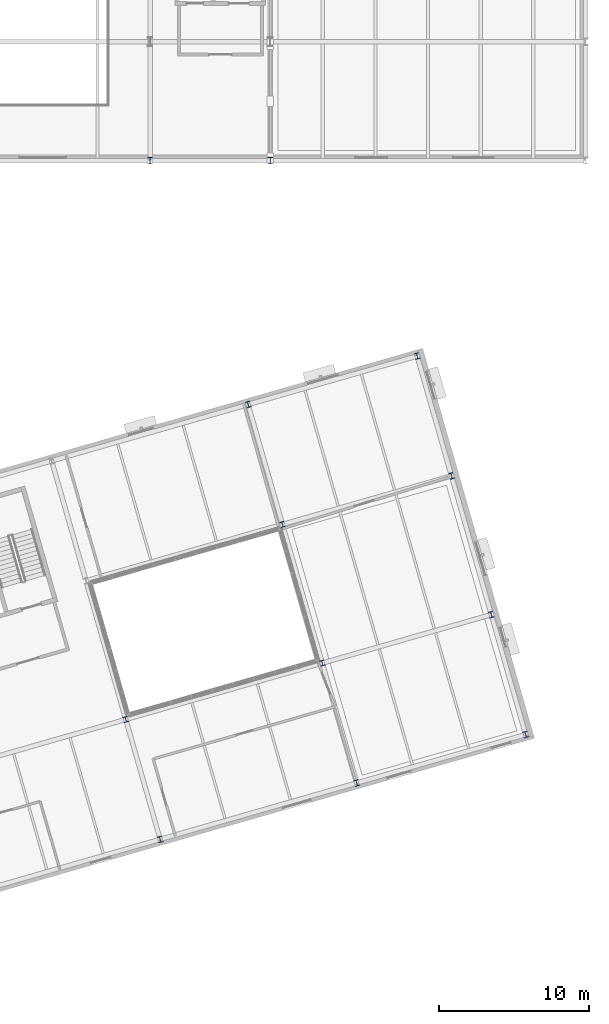
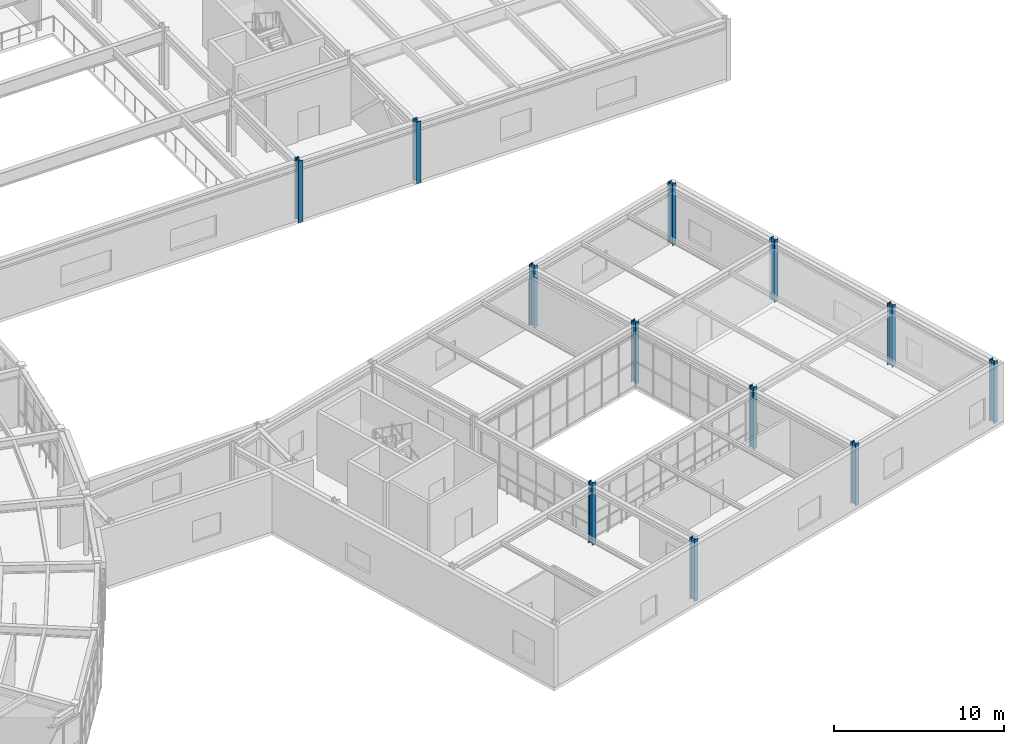
# One storey, part 15 of 103: 12 columns.
"""IFC4 building model written with IfcOpenShell, lengths in metres."""

from ifc_helpers import new_model, si_unit, direction, frame, origin, origin_2d, place, context, subcontext, project, spatial, i_section, extrude, material, material_profile, profile_set, type_object, element, save


model = new_model("IFC4")

# Units and contexts
model_context = context("Model", 3, precision=1e-05, world=origin(), true_north=direction((0.0, 1.0)))
body_context = subcontext(model_context, "Body", "Model", "MODEL_VIEW")
ifc_project = project(units=[si_unit("LENGTHUNIT", "METRE"), si_unit("AREAUNIT", "SQUARE_METRE"), si_unit("VOLUMEUNIT", "CUBIC_METRE"), si_unit("PLANEANGLEUNIT", "RADIAN"), si_unit("MASSUNIT", "GRAM", prefix="KILO")], contexts=[model_context])

# Site, building, storey
site_placement = place(None, origin())
site = spatial("IfcSite", under=ifc_project, at=site_placement, CompositionType="ELEMENT")
building_placement = place(site_placement, origin())
building = spatial("IfcBuilding", under=site, at=building_placement, Name="Varnklinge Art Gallery", CompositionType="ELEMENT")
storey_placement = place(building_placement, frame((0.0, 0.0, 5.10009765625)))
storey = spatial("IfcBuildingStorey", under=building, at=storey_placement, Name="L01", CompositionType="ELEMENT", Elevation=5.10009765625)

# Columns
ifc_material_1 = material(Name="Steel S355", Category="steel")
ifc_material_profile_1 = material_profile(ifc_material_1, i_section(OverallWidth=0.300048828125, OverallDepth=0.360107421875, WebThickness=0.012451171875, FlangeThickness=0.0224609375, FilletRadius=0.027099609375, at=origin_2d()), Name="HEB 360")
ifc_profile_set_1 = profile_set([ifc_material_profile_1], Name="Steel S355")
column_type_1 = type_object("IfcColumnType", Name="COL-08", PredefinedType="COLUMN", material=ifc_profile_set_1)
for number, where, z_axis, x_axis, name in (
    (1, (133.78662109375, 21.01171875, 0.0), (0.0, 0.0, 1.0), (0.961261695938, 0.275637355817, 0.0), "L01 Column V6C-2-2"),
    (2, (146.859619140625, 24.76025390625, 0.0), (0.0, 0.0, 1.0), (0.961261695938, 0.275637355817, 0.0), "L01 Column V6C-3-2"),
    (3, (144.21337890625, 33.98828125, 0.0), (0.0, 0.0, 1.0), (0.961261695938, 0.275637355817, 0.0), "L01 Column V6C-3-3"),
):
    element("IfcColumn", number, at=place(storey_placement, frame(where, z_axis=z_axis, x_axis=x_axis)), inside=storey, type_object=column_type_1, Name=name, PredefinedType="COLUMN", context=body_context, shape_type="SweptSolid", body=[
        extrude(i_section(OverallWidth=0.300048828125, OverallDepth=0.360107421875, WebThickness=0.012451171875, FlangeThickness=0.0224609375, FilletRadius=0.027099609375, at=origin_2d()), origin(), (0.0, 0.0, 1.0), 4.419921875),
    ])
ifc_material_2 = material(Name="Steel S355", Category="steel")
ifc_material_profile_2 = material_profile(ifc_material_2, i_section(OverallWidth=0.300048828125, OverallDepth=0.449951171875, WebThickness=0.013916015625, FlangeThickness=0.02587890625, FilletRadius=0.027099609375, at=origin_2d()), Name="HEB 450")
ifc_profile_set_2 = profile_set([ifc_material_profile_2], Name="Steel S355")
column_type_2 = type_object("IfcColumnType", Name="COL-E2", PredefinedType="COLUMN", material=ifc_profile_set_2)
for number, where, z_axis, x_axis, name in (
    (4, (135.39990234375, 58.199951171875, 0.0), (0.0, 0.0, 1.0), (1.0, 0.0, 0.0), "L01 Column V1C-2-1"),
    (5, (143.39990234375, 58.199951171875, 0.0), (0.0, 0.0, 1.0), (1.0, 0.0, 0.0), "L01 Column V1C-3-1"),
):
    element("IfcColumn", number, at=place(storey_placement, frame(where, z_axis=z_axis, x_axis=x_axis)), inside=storey, type_object=column_type_2, Name=name, PredefinedType="COLUMN", context=body_context, shape_type="SweptSolid", body=[
        extrude(i_section(OverallWidth=0.300048828125, OverallDepth=0.449951171875, WebThickness=0.013916015625, FlangeThickness=0.02587890625, FilletRadius=0.027099609375, at=origin_2d()), origin(), (0.0, 0.0, 1.0), 4.419921875),
    ])
ifc_material_3 = material(Name="Steel S355", Category="steel")
ifc_material_profile_3 = material_profile(ifc_material_3, i_section(OverallWidth=0.300048828125, OverallDepth=0.39990234375, WebThickness=0.013427734375, FlangeThickness=0.02392578125, FilletRadius=0.027099609375, at=origin_2d()), Name="HEB 400")
ifc_profile_set_3 = profile_set([ifc_material_profile_3], Name="Steel S355")
column_type_3 = type_object("IfcColumnType", Name="COL-E3", PredefinedType="COLUMN", material=ifc_profile_set_3)
for number, where, z_axis, x_axis, name in (
    (6, (136.07421875, 13.033203125, 0.0), (0.0, 0.0, 1.0), (0.961261695938, 0.275637355817, 0.0), "L01 Column V6C-2-1"),
    (7, (149.1474609375, 16.78173828125, 0.0), (0.0, 0.0, 1.0), (0.961261695938, 0.275637355817, 0.0), "L01 Column V6C-3-1"),
    (8, (141.92578125, 41.966796875, 0.0), (0.0, 0.0, 1.0), (0.961261695938, 0.275637355817, 0.0), "L01 Column V6C-3-4"),
    (9, (160.394287109375, 20.0068359375, 0.0), (0.0, 0.0, 1.0), (0.961261695938, 0.275637355817, 0.0), "L01 Column V6C-4-1"),
    (10, (158.1064453125, 27.985107421875, 0.0), (0.0, 0.0, 1.0), (0.961261695938, 0.275637355817, 0.0), "L01 Column V6C-4-2"),
    (11, (155.460205078125, 37.21337890625, 0.0), (0.0, 0.0, 1.0), (0.961261695938, 0.275637355817, 0.0), "L01 Column V6C-4-3"),
    (12, (153.172607421875, 45.19189453125, 0.0), (0.0, 0.0, 1.0), (0.961261695938, 0.275637355817, 0.0), "L01 Column V6C-4-4"),
):
    element("IfcColumn", number, at=place(storey_placement, frame(where, z_axis=z_axis, x_axis=x_axis)), inside=storey, type_object=column_type_3, Name=name, PredefinedType="COLUMN", context=body_context, shape_type="SweptSolid", body=[
        extrude(i_section(OverallWidth=0.300048828125, OverallDepth=0.39990234375, WebThickness=0.013427734375, FlangeThickness=0.02392578125, FilletRadius=0.027099609375, at=origin_2d()), origin(), (0.0, 0.0, 1.0), 4.419921875),
    ])

save(model, "model.ifc")
